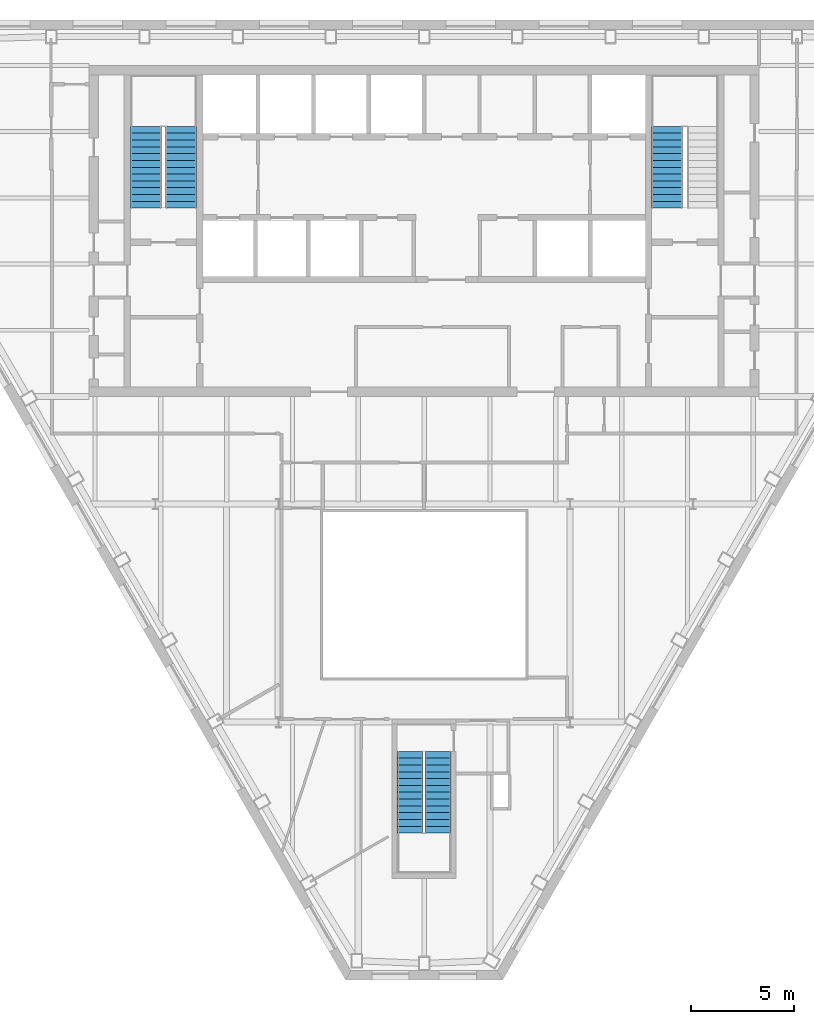
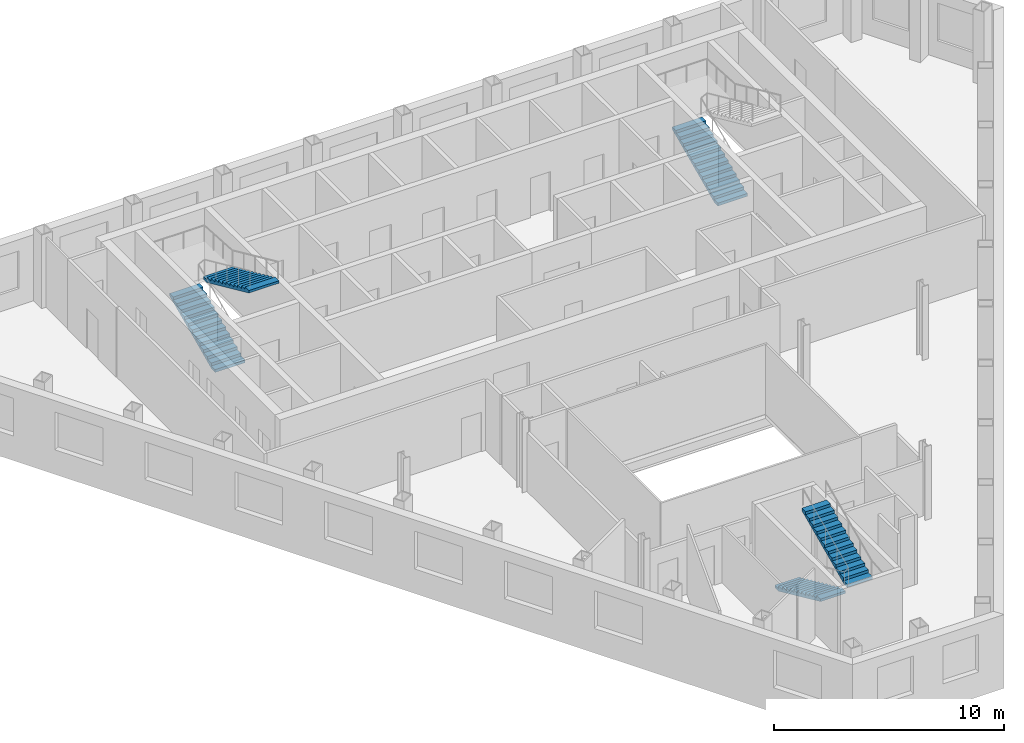
# One storey, part 8 of 10: 5 stair flights, 3 elements without a shape of their own.
"""IFC4 building model written with IfcOpenShell, lengths in metres."""

from ifc_helpers import new_model, si_unit, direction, frame, origin, place, context, subcontext, project, spatial, polygons, material, type_object, element, aggregate, save


model = new_model("IFC4")

# Units and contexts
model_context = context("Model", 3, precision=1e-05, world=origin(), true_north=direction((0.0, 1.0)))
body_context = subcontext(model_context, "Body", "Model", "MODEL_VIEW")
ifc_project = project(units=[si_unit("LENGTHUNIT", "METRE"), si_unit("AREAUNIT", "SQUARE_METRE"), si_unit("VOLUMEUNIT", "CUBIC_METRE"), si_unit("PLANEANGLEUNIT", "RADIAN"), si_unit("MASSUNIT", "GRAM", prefix="KILO")], contexts=[model_context])

# Site, building, storey
site_placement = place(None, origin())
site = spatial("IfcSite", under=ifc_project, at=site_placement, CompositionType="ELEMENT")
building_placement = place(site_placement, origin())
building = spatial("IfcBuilding", under=site, at=building_placement, Name="Njiva Tower", CompositionType="ELEMENT")
storey_placement = place(building_placement, frame((0.0, 0.0, 196.5)))
storey = spatial("IfcBuildingStorey", under=building, at=storey_placement, Name="L43", CompositionType="ELEMENT", Elevation=196.5)

# Stair, stair flights
ifc_material = material(Name="Concrete C40/50", Category="concrete")
stair_type_1 = type_object("IfcStairType", Name="ST1 Exit stair 1250", PredefinedType="HALF_TURN_STAIR", material=ifc_material)
stair_1_placement = place(storey_placement, origin())
stair_1 = element("IfcStair", 1, at=stair_1_placement, inside=storey, type_object=stair_type_1, Name="Stair C", PredefinedType="HALF_TURN_STAIR")
stair_flight_type_1 = type_object("IfcStairFlightType", Name="FL1 Stair flight 1250", PredefinedType="STRAIGHT", material=ifc_material)
stair_flight_1_placement = place(storey_placement, frame((-0.675, -15.16, 0.0), z_axis=(0.0, 0.0, 1.0), x_axis=(0.0, -1.0, 0.0)))
stair_flight_1 = element("IfcStairFlight", 2, at=stair_flight_1_placement, type_object=stair_flight_type_1, Name="ST-C flight 1", NumberOfRisers=13, NumberOfTreads=12, PredefinedType="STRAIGHT", RiserHeight=0.15, TreadLength=0.33, context=body_context, shape_type="Tessellation", body=[
    polygons([(0.0, 0.625, 0.0), (0.0, 0.3125, 0.0), (0.0, 0.0, 0.0), (0.0, -0.3125, 0.0), (0.0, -0.625, 0.0), (0.0, 0.625, 0.15), (0.0, 0.3125, 0.15), (0.0, 0.0, 0.15), (0.0, -0.3125, 0.15), (0.0, -0.625, 0.15), (0.33, 0.625, 0.15), (0.33, 0.3125, 0.15), (0.33, 0.0, 0.15), (0.33, -0.3125, 0.15), (0.33, -0.625, 0.15), (0.33, 0.625, 0.3), (0.33, 0.3125, 0.3), (0.33, 0.0, 0.3), (0.33, -0.3125, 0.3), (0.33, -0.625, 0.3), (0.66, 0.625, 0.3), (0.66, 0.3125, 0.3), (0.66, 0.0, 0.3), (0.66, -0.3125, 0.3), (0.66, -0.625, 0.3), (0.66, 0.625, 0.45), (0.66, 0.3125, 0.45), (0.66, 0.0, 0.45), (0.66, -0.3125, 0.45), (0.66, -0.625, 0.45), (0.99, 0.625, 0.45), (0.99, 0.3125, 0.45), (0.99, 0.0, 0.45), (0.99, -0.3125, 0.45), (0.99, -0.625, 0.45), (0.99, 0.625, 0.6), (0.99, 0.3125, 0.6), (0.99, 0.0, 0.6), (0.99, -0.3125, 0.6), (0.99, -0.625, 0.6), (1.32, 0.625, 0.6), (1.32, 0.3125, 0.6), (1.32, 0.0, 0.6), (1.32, -0.3125, 0.6), (1.32, -0.625, 0.6), (1.32, 0.625, 0.75), (1.32, 0.3125, 0.75), (1.32, 0.0, 0.75), (1.32, -0.3125, 0.75), (1.32, -0.625, 0.75), (1.65, 0.625, 0.75), (1.65, 0.3125, 0.75), (1.65, 0.0, 0.75), (1.65, -0.3125, 0.75), (1.65, -0.625, 0.75), (1.65, 0.625, 0.9), (1.65, 0.3125, 0.9), (1.65, 0.0, 0.9), (1.65, -0.3125, 0.9), (1.65, -0.625, 0.9), (1.98, 0.625, 0.9), (1.98, 0.3125, 0.9), (1.98, 0.0, 0.9), (1.98, -0.3125, 0.9), (1.98, -0.625, 0.9), (1.98, 0.625, 1.05), (1.98, 0.3125, 1.05), (1.98, 0.0, 1.05), (1.98, -0.3125, 1.05), (1.98, -0.625, 1.05), (2.31, 0.625, 1.05), (2.31, 0.3125, 1.05), (2.31, 0.0, 1.05), (2.31, -0.3125, 1.05), (2.31, -0.625, 1.05), (2.31, 0.625, 1.2), (2.31, 0.3125, 1.2), (2.31, 0.0, 1.2), (2.31, -0.3125, 1.2), (2.31, -0.625, 1.2), (2.64, 0.625, 1.2), (2.64, 0.3125, 1.2), (2.64, 0.0, 1.2), (2.64, -0.3125, 1.2), (2.64, -0.625, 1.2), (2.64, 0.625, 1.35), (2.64, 0.3125, 1.35), (2.64, 0.0, 1.35), (2.64, -0.3125, 1.35), (2.64, -0.625, 1.35), (2.97, 0.625, 1.35), (2.97, 0.3125, 1.35), (2.97, 0.0, 1.35), (2.97, -0.3125, 1.35), (2.97, -0.625, 1.35), (2.97, 0.625, 1.5), (2.97, 0.3125, 1.5), (2.97, 0.0, 1.5), (2.97, -0.3125, 1.5), (2.97, -0.625, 1.5), (3.3, 0.625, 1.5), (3.3, 0.3125, 1.5), (3.3, 0.0, 1.5), (3.3, -0.3125, 1.5), (3.3, -0.625, 1.5), (3.3, 0.625, 1.65), (3.3, 0.3125, 1.65), (3.3, 0.0, 1.65), (3.3, -0.3125, 1.65), (3.3, -0.625, 1.65), (3.63, 0.625, 1.65), (3.63, 0.3125, 1.65), (3.63, 0.0, 1.65), (3.63, -0.3125, 1.65), (3.63, -0.625, 1.65), (3.63, 0.625, 1.8), (3.63, 0.3125, 1.8), (3.63, 0.0, 1.8), (3.63, -0.3125, 1.8), (3.63, -0.625, 1.8), (3.96, 0.625, 1.8), (3.96, 0.3125, 1.8), (3.96, 0.0, 1.8), (3.96, -0.3125, 1.8), (3.96, -0.625, 1.8), (3.96, 0.625, 1.6682), (3.96, 0.3125, 1.6682), (3.96, 0.0, 1.6682), (3.96, -0.3125, 1.6682), (3.96, -0.625, 1.6682), (0.29, 0.625, 0.0), (0.29, 0.3125, 0.0), (0.29, 0.0, 0.0), (0.29, -0.3125, 0.0), (0.29, -0.625, 0.0)], [[[1, 6, 11, 16, 21, 26, 31, 36, 41, 46, 51, 56, 61, 66, 71, 76, 81, 86, 91, 96, 101, 106, 111, 116, 121, 126, 131]], [[135, 130, 125, 120, 115, 110, 105, 100, 95, 90, 85, 80, 75, 70, 65, 60, 55, 50, 45, 40, 35, 30, 25, 20, 15, 10, 5]], [[6, 1, 2, 7]], [[7, 2, 3, 8]], [[8, 3, 4, 9]], [[9, 4, 5, 10]], [[11, 6, 7, 12]], [[12, 7, 8, 13]], [[13, 8, 9, 14]], [[14, 9, 10, 15]], [[16, 11, 12, 17]], [[17, 12, 13, 18]], [[18, 13, 14, 19]], [[19, 14, 15, 20]], [[21, 16, 17, 22]], [[22, 17, 18, 23]], [[23, 18, 19, 24]], [[24, 19, 20, 25]], [[26, 21, 22, 27]], [[27, 22, 23, 28]], [[28, 23, 24, 29]], [[29, 24, 25, 30]], [[31, 26, 27, 32]], [[32, 27, 28, 33]], [[33, 28, 29, 34]], [[34, 29, 30, 35]], [[36, 31, 32, 37]], [[37, 32, 33, 38]], [[38, 33, 34, 39]], [[39, 34, 35, 40]], [[41, 36, 37, 42]], [[42, 37, 38, 43]], [[43, 38, 39, 44]], [[44, 39, 40, 45]], [[46, 41, 42, 47]], [[47, 42, 43, 48]], [[48, 43, 44, 49]], [[49, 44, 45, 50]], [[51, 46, 47, 52]], [[52, 47, 48, 53]], [[53, 48, 49, 54]], [[54, 49, 50, 55]], [[56, 51, 52, 57]], [[57, 52, 53, 58]], [[58, 53, 54, 59]], [[59, 54, 55, 60]], [[61, 56, 57, 62]], [[62, 57, 58, 63]], [[63, 58, 59, 64]], [[64, 59, 60, 65]], [[66, 61, 62, 67]], [[67, 62, 63, 68]], [[68, 63, 64, 69]], [[69, 64, 65, 70]], [[71, 66, 67, 72]], [[72, 67, 68, 73]], [[73, 68, 69, 74]], [[74, 69, 70, 75]], [[76, 71, 72, 77]], [[77, 72, 73, 78]], [[78, 73, 74, 79]], [[79, 74, 75, 80]], [[81, 76, 77, 82]], [[82, 77, 78, 83]], [[83, 78, 79, 84]], [[84, 79, 80, 85]], [[86, 81, 82, 87]], [[87, 82, 83, 88]], [[88, 83, 84, 89]], [[89, 84, 85, 90]], [[91, 86, 87, 92]], [[92, 87, 88, 93]], [[93, 88, 89, 94]], [[94, 89, 90, 95]], [[96, 91, 92, 97]], [[97, 92, 93, 98]], [[98, 93, 94, 99]], [[99, 94, 95, 100]], [[101, 96, 97, 102]], [[102, 97, 98, 103]], [[103, 98, 99, 104]], [[104, 99, 100, 105]], [[106, 101, 102, 107]], [[107, 102, 103, 108]], [[108, 103, 104, 109]], [[109, 104, 105, 110]], [[111, 106, 107, 112]], [[112, 107, 108, 113]], [[113, 108, 109, 114]], [[114, 109, 110, 115]], [[116, 111, 112, 117]], [[117, 112, 113, 118]], [[118, 113, 114, 119]], [[119, 114, 115, 120]], [[121, 116, 117, 122]], [[122, 117, 118, 123]], [[123, 118, 119, 124]], [[124, 119, 120, 125]], [[126, 121, 122, 127]], [[127, 122, 123, 128]], [[128, 123, 124, 129]], [[129, 124, 125, 130]], [[131, 126, 127, 132]], [[132, 127, 128, 133]], [[133, 128, 129, 134]], [[134, 129, 130, 135]], [[1, 131, 132, 2]], [[2, 132, 133, 3]], [[3, 133, 134, 4]], [[4, 134, 135, 5]]], closed=True),
])
stair_flight_2_placement = place(storey_placement, frame((0.675, -19.12, 1.95), z_axis=(0.0, 0.0, 1.0), x_axis=(0.0, 1.0, 0.0)))
stair_flight_2 = element("IfcStairFlight", 3, at=stair_flight_2_placement, type_object=stair_flight_type_1, Name="ST-C flight 2", NumberOfRisers=13, NumberOfTreads=12, PredefinedType="STRAIGHT", RiserHeight=0.15, TreadLength=0.33, context=body_context, shape_type="Tessellation", body=[
    polygons([(0.0, 0.625, 0.0), (0.0, 0.3125, 0.0), (0.0, 0.0, 0.0), (0.0, -0.3125, 0.0), (0.0, -0.625, 0.0), (0.0, 0.625, 0.15), (0.0, 0.3125, 0.15), (0.0, 0.0, 0.15), (0.0, -0.3125, 0.15), (0.0, -0.625, 0.15), (0.33, 0.625, 0.15), (0.33, 0.3125, 0.15), (0.33, 0.0, 0.15), (0.33, -0.3125, 0.15), (0.33, -0.625, 0.15), (0.33, 0.625, 0.3), (0.33, 0.3125, 0.3), (0.33, 0.0, 0.3), (0.33, -0.3125, 0.3), (0.33, -0.625, 0.3), (0.66, 0.625, 0.3), (0.66, 0.3125, 0.3), (0.66, 0.0, 0.3), (0.66, -0.3125, 0.3), (0.66, -0.625, 0.3), (0.66, 0.625, 0.45), (0.66, 0.3125, 0.45), (0.66, 0.0, 0.45), (0.66, -0.3125, 0.45), (0.66, -0.625, 0.45), (0.99, 0.625, 0.45), (0.99, 0.3125, 0.45), (0.99, 0.0, 0.45), (0.99, -0.3125, 0.45), (0.99, -0.625, 0.45), (0.99, 0.625, 0.6), (0.99, 0.3125, 0.6), (0.99, 0.0, 0.6), (0.99, -0.3125, 0.6), (0.99, -0.625, 0.6), (1.32, 0.625, 0.6), (1.32, 0.3125, 0.6), (1.32, 0.0, 0.6), (1.32, -0.3125, 0.6), (1.32, -0.625, 0.6), (1.32, 0.625, 0.75), (1.32, 0.3125, 0.75), (1.32, 0.0, 0.75), (1.32, -0.3125, 0.75), (1.32, -0.625, 0.75), (1.65, 0.625, 0.75), (1.65, 0.3125, 0.75), (1.65, 0.0, 0.75), (1.65, -0.3125, 0.75), (1.65, -0.625, 0.75), (1.65, 0.625, 0.9), (1.65, 0.3125, 0.9), (1.65, 0.0, 0.9), (1.65, -0.3125, 0.9), (1.65, -0.625, 0.9), (1.98, 0.625, 0.9), (1.98, 0.3125, 0.9), (1.98, 0.0, 0.9), (1.98, -0.3125, 0.9), (1.98, -0.625, 0.9), (1.98, 0.625, 1.05), (1.98, 0.3125, 1.05), (1.98, 0.0, 1.05), (1.98, -0.3125, 1.05), (1.98, -0.625, 1.05), (2.31, 0.625, 1.05), (2.31, 0.3125, 1.05), (2.31, 0.0, 1.05), (2.31, -0.3125, 1.05), (2.31, -0.625, 1.05), (2.31, 0.625, 1.2), (2.31, 0.3125, 1.2), (2.31, 0.0, 1.2), (2.31, -0.3125, 1.2), (2.31, -0.625, 1.2), (2.64, 0.625, 1.2), (2.64, 0.3125, 1.2), (2.64, 0.0, 1.2), (2.64, -0.3125, 1.2), (2.64, -0.625, 1.2), (2.64, 0.625, 1.35), (2.64, 0.3125, 1.35), (2.64, 0.0, 1.35), (2.64, -0.3125, 1.35), (2.64, -0.625, 1.35), (2.97, 0.625, 1.35), (2.97, 0.3125, 1.35), (2.97, 0.0, 1.35), (2.97, -0.3125, 1.35), (2.97, -0.625, 1.35), (2.97, 0.625, 1.5), (2.97, 0.3125, 1.5), (2.97, 0.0, 1.5), (2.97, -0.3125, 1.5), (2.97, -0.625, 1.5), (3.3, 0.625, 1.5), (3.3, 0.3125, 1.5), (3.3, 0.0, 1.5), (3.3, -0.3125, 1.5), (3.3, -0.625, 1.5), (3.3, 0.625, 1.65), (3.3, 0.3125, 1.65), (3.3, 0.0, 1.65), (3.3, -0.3125, 1.65), (3.3, -0.625, 1.65), (3.63, 0.625, 1.65), (3.63, 0.3125, 1.65), (3.63, 0.0, 1.65), (3.63, -0.3125, 1.65), (3.63, -0.625, 1.65), (3.63, 0.625, 1.8), (3.63, 0.3125, 1.8), (3.63, 0.0, 1.8), (3.63, -0.3125, 1.8), (3.63, -0.625, 1.8), (3.96, 0.625, 1.8), (3.96, 0.3125, 1.8), (3.96, 0.0, 1.8), (3.96, -0.3125, 1.8), (3.96, -0.625, 1.8), (3.96, 0.625, 1.6682), (3.96, 0.3125, 1.6682), (3.96, 0.0, 1.6682), (3.96, -0.3125, 1.6682), (3.96, -0.625, 1.6682), (0.29, 0.625, 0.0), (0.29, 0.3125, 0.0), (0.29, 0.0, 0.0), (0.29, -0.3125, 0.0), (0.29, -0.625, 0.0)], [[[1, 6, 11, 16, 21, 26, 31, 36, 41, 46, 51, 56, 61, 66, 71, 76, 81, 86, 91, 96, 101, 106, 111, 116, 121, 126, 131]], [[135, 130, 125, 120, 115, 110, 105, 100, 95, 90, 85, 80, 75, 70, 65, 60, 55, 50, 45, 40, 35, 30, 25, 20, 15, 10, 5]], [[6, 1, 2, 7]], [[7, 2, 3, 8]], [[8, 3, 4, 9]], [[9, 4, 5, 10]], [[11, 6, 7, 12]], [[12, 7, 8, 13]], [[13, 8, 9, 14]], [[14, 9, 10, 15]], [[16, 11, 12, 17]], [[17, 12, 13, 18]], [[18, 13, 14, 19]], [[19, 14, 15, 20]], [[21, 16, 17, 22]], [[22, 17, 18, 23]], [[23, 18, 19, 24]], [[24, 19, 20, 25]], [[26, 21, 22, 27]], [[27, 22, 23, 28]], [[28, 23, 24, 29]], [[29, 24, 25, 30]], [[31, 26, 27, 32]], [[32, 27, 28, 33]], [[33, 28, 29, 34]], [[34, 29, 30, 35]], [[36, 31, 32, 37]], [[37, 32, 33, 38]], [[38, 33, 34, 39]], [[39, 34, 35, 40]], [[41, 36, 37, 42]], [[42, 37, 38, 43]], [[43, 38, 39, 44]], [[44, 39, 40, 45]], [[46, 41, 42, 47]], [[47, 42, 43, 48]], [[48, 43, 44, 49]], [[49, 44, 45, 50]], [[51, 46, 47, 52]], [[52, 47, 48, 53]], [[53, 48, 49, 54]], [[54, 49, 50, 55]], [[56, 51, 52, 57]], [[57, 52, 53, 58]], [[58, 53, 54, 59]], [[59, 54, 55, 60]], [[61, 56, 57, 62]], [[62, 57, 58, 63]], [[63, 58, 59, 64]], [[64, 59, 60, 65]], [[66, 61, 62, 67]], [[67, 62, 63, 68]], [[68, 63, 64, 69]], [[69, 64, 65, 70]], [[71, 66, 67, 72]], [[72, 67, 68, 73]], [[73, 68, 69, 74]], [[74, 69, 70, 75]], [[76, 71, 72, 77]], [[77, 72, 73, 78]], [[78, 73, 74, 79]], [[79, 74, 75, 80]], [[81, 76, 77, 82]], [[82, 77, 78, 83]], [[83, 78, 79, 84]], [[84, 79, 80, 85]], [[86, 81, 82, 87]], [[87, 82, 83, 88]], [[88, 83, 84, 89]], [[89, 84, 85, 90]], [[91, 86, 87, 92]], [[92, 87, 88, 93]], [[93, 88, 89, 94]], [[94, 89, 90, 95]], [[96, 91, 92, 97]], [[97, 92, 93, 98]], [[98, 93, 94, 99]], [[99, 94, 95, 100]], [[101, 96, 97, 102]], [[102, 97, 98, 103]], [[103, 98, 99, 104]], [[104, 99, 100, 105]], [[106, 101, 102, 107]], [[107, 102, 103, 108]], [[108, 103, 104, 109]], [[109, 104, 105, 110]], [[111, 106, 107, 112]], [[112, 107, 108, 113]], [[113, 108, 109, 114]], [[114, 109, 110, 115]], [[116, 111, 112, 117]], [[117, 112, 113, 118]], [[118, 113, 114, 119]], [[119, 114, 115, 120]], [[121, 116, 117, 122]], [[122, 117, 118, 123]], [[123, 118, 119, 124]], [[124, 119, 120, 125]], [[126, 121, 122, 127]], [[127, 122, 123, 128]], [[128, 123, 124, 129]], [[129, 124, 125, 130]], [[131, 126, 127, 132]], [[132, 127, 128, 133]], [[133, 128, 129, 134]], [[134, 129, 130, 135]], [[1, 131, 132, 2]], [[2, 132, 133, 3]], [[3, 133, 134, 4]], [[4, 134, 135, 5]]], closed=True),
])
aggregate(stair_1, [stair_flight_1, stair_flight_2])

stair_type_2 = type_object("IfcStairType", Name="ST4 Exit stair 1500", PredefinedType="HALF_TURN_STAIR", material=ifc_material)
stair_2_placement = place(storey_placement, origin())
stair_2 = element("IfcStair", 4, at=stair_2_placement, inside=storey, type_object=stair_type_2, Name="Stair A", PredefinedType="HALF_TURN_STAIR")
stair_flight_type_2 = type_object("IfcStairFlightType", Name="FL4 Stair flight 1500", PredefinedType="STRAIGHT", material=ifc_material)
stair_flight_3_placement = place(storey_placement, frame((-13.45, 11.1, 0.0), z_axis=(0.0, 0.0, 1.0), x_axis=(0.0, 1.0, 0.0)))
stair_flight_3 = element("IfcStairFlight", 5, at=stair_flight_3_placement, type_object=stair_flight_type_2, Name="ST-A flight 1", NumberOfRisers=13, NumberOfTreads=12, PredefinedType="STRAIGHT", RiserHeight=0.15, TreadLength=0.33, context=body_context, shape_type="Tessellation", body=[
    polygons([(0.0, 0.75, 0.0), (0.0, 0.375, 0.0), (0.0, 0.0, 0.0), (0.0, -0.375, 0.0), (0.0, -0.75, 0.0), (0.0, 0.75, 0.15), (0.0, 0.375, 0.15), (0.0, 0.0, 0.15), (0.0, -0.375, 0.15), (0.0, -0.75, 0.15), (0.33, 0.75, 0.15), (0.33, 0.375, 0.15), (0.33, 0.0, 0.15), (0.33, -0.375, 0.15), (0.33, -0.75, 0.15), (0.33, 0.75, 0.3), (0.33, 0.375, 0.3), (0.33, 0.0, 0.3), (0.33, -0.375, 0.3), (0.33, -0.75, 0.3), (0.66, 0.75, 0.3), (0.66, 0.375, 0.3), (0.66, 0.0, 0.3), (0.66, -0.375, 0.3), (0.66, -0.75, 0.3), (0.66, 0.75, 0.45), (0.66, 0.375, 0.45), (0.66, 0.0, 0.45), (0.66, -0.375, 0.45), (0.66, -0.75, 0.45), (0.99, 0.75, 0.45), (0.99, 0.375, 0.45), (0.99, 0.0, 0.45), (0.99, -0.375, 0.45), (0.99, -0.75, 0.45), (0.99, 0.75, 0.6), (0.99, 0.375, 0.6), (0.99, 0.0, 0.6), (0.99, -0.375, 0.6), (0.99, -0.75, 0.6), (1.32, 0.75, 0.6), (1.32, 0.375, 0.6), (1.32, 0.0, 0.6), (1.32, -0.375, 0.6), (1.32, -0.75, 0.6), (1.32, 0.75, 0.75), (1.32, 0.375, 0.75), (1.32, 0.0, 0.75), (1.32, -0.375, 0.75), (1.32, -0.75, 0.75), (1.65, 0.75, 0.75), (1.65, 0.375, 0.75), (1.65, 0.0, 0.75), (1.65, -0.375, 0.75), (1.65, -0.75, 0.75), (1.65, 0.75, 0.9), (1.65, 0.375, 0.9), (1.65, 0.0, 0.9), (1.65, -0.375, 0.9), (1.65, -0.75, 0.9), (1.98, 0.75, 0.9), (1.98, 0.375, 0.9), (1.98, 0.0, 0.9), (1.98, -0.375, 0.9), (1.98, -0.75, 0.9), (1.98, 0.75, 1.05), (1.98, 0.375, 1.05), (1.98, 0.0, 1.05), (1.98, -0.375, 1.05), (1.98, -0.75, 1.05), (2.31, 0.75, 1.05), (2.31, 0.375, 1.05), (2.31, 0.0, 1.05), (2.31, -0.375, 1.05), (2.31, -0.75, 1.05), (2.31, 0.75, 1.2), (2.31, 0.375, 1.2), (2.31, 0.0, 1.2), (2.31, -0.375, 1.2), (2.31, -0.75, 1.2), (2.64, 0.75, 1.2), (2.64, 0.375, 1.2), (2.64, 0.0, 1.2), (2.64, -0.375, 1.2), (2.64, -0.75, 1.2), (2.64, 0.75, 1.35), (2.64, 0.375, 1.35), (2.64, 0.0, 1.35), (2.64, -0.375, 1.35), (2.64, -0.75, 1.35), (2.97, 0.75, 1.35), (2.97, 0.375, 1.35), (2.97, 0.0, 1.35), (2.97, -0.375, 1.35), (2.97, -0.75, 1.35), (2.97, 0.75, 1.5), (2.97, 0.375, 1.5), (2.97, 0.0, 1.5), (2.97, -0.375, 1.5), (2.97, -0.75, 1.5), (3.3, 0.75, 1.5), (3.3, 0.375, 1.5), (3.3, 0.0, 1.5), (3.3, -0.375, 1.5), (3.3, -0.75, 1.5), (3.3, 0.75, 1.65), (3.3, 0.375, 1.65), (3.3, 0.0, 1.65), (3.3, -0.375, 1.65), (3.3, -0.75, 1.65), (3.63, 0.75, 1.65), (3.63, 0.375, 1.65), (3.63, 0.0, 1.65), (3.63, -0.375, 1.65), (3.63, -0.75, 1.65), (3.63, 0.75, 1.8), (3.63, 0.375, 1.8), (3.63, 0.0, 1.8), (3.63, -0.375, 1.8), (3.63, -0.75, 1.8), (3.96, 0.75, 1.8), (3.96, 0.375, 1.8), (3.96, 0.0, 1.8), (3.96, -0.375, 1.8), (3.96, -0.75, 1.8), (3.96, 0.75, 1.6682), (3.96, 0.375, 1.6682), (3.96, 0.0, 1.6682), (3.96, -0.375, 1.6682), (3.96, -0.75, 1.6682), (0.29, 0.75, 0.0), (0.29, 0.375, 0.0), (0.29, 0.0, 0.0), (0.29, -0.375, 0.0), (0.29, -0.75, 0.0)], [[[1, 6, 11, 16, 21, 26, 31, 36, 41, 46, 51, 56, 61, 66, 71, 76, 81, 86, 91, 96, 101, 106, 111, 116, 121, 126, 131]], [[135, 130, 125, 120, 115, 110, 105, 100, 95, 90, 85, 80, 75, 70, 65, 60, 55, 50, 45, 40, 35, 30, 25, 20, 15, 10, 5]], [[6, 1, 2, 7]], [[7, 2, 3, 8]], [[8, 3, 4, 9]], [[9, 4, 5, 10]], [[11, 6, 7, 12]], [[12, 7, 8, 13]], [[13, 8, 9, 14]], [[14, 9, 10, 15]], [[16, 11, 12, 17]], [[17, 12, 13, 18]], [[18, 13, 14, 19]], [[19, 14, 15, 20]], [[21, 16, 17, 22]], [[22, 17, 18, 23]], [[23, 18, 19, 24]], [[24, 19, 20, 25]], [[26, 21, 22, 27]], [[27, 22, 23, 28]], [[28, 23, 24, 29]], [[29, 24, 25, 30]], [[31, 26, 27, 32]], [[32, 27, 28, 33]], [[33, 28, 29, 34]], [[34, 29, 30, 35]], [[36, 31, 32, 37]], [[37, 32, 33, 38]], [[38, 33, 34, 39]], [[39, 34, 35, 40]], [[41, 36, 37, 42]], [[42, 37, 38, 43]], [[43, 38, 39, 44]], [[44, 39, 40, 45]], [[46, 41, 42, 47]], [[47, 42, 43, 48]], [[48, 43, 44, 49]], [[49, 44, 45, 50]], [[51, 46, 47, 52]], [[52, 47, 48, 53]], [[53, 48, 49, 54]], [[54, 49, 50, 55]], [[56, 51, 52, 57]], [[57, 52, 53, 58]], [[58, 53, 54, 59]], [[59, 54, 55, 60]], [[61, 56, 57, 62]], [[62, 57, 58, 63]], [[63, 58, 59, 64]], [[64, 59, 60, 65]], [[66, 61, 62, 67]], [[67, 62, 63, 68]], [[68, 63, 64, 69]], [[69, 64, 65, 70]], [[71, 66, 67, 72]], [[72, 67, 68, 73]], [[73, 68, 69, 74]], [[74, 69, 70, 75]], [[76, 71, 72, 77]], [[77, 72, 73, 78]], [[78, 73, 74, 79]], [[79, 74, 75, 80]], [[81, 76, 77, 82]], [[82, 77, 78, 83]], [[83, 78, 79, 84]], [[84, 79, 80, 85]], [[86, 81, 82, 87]], [[87, 82, 83, 88]], [[88, 83, 84, 89]], [[89, 84, 85, 90]], [[91, 86, 87, 92]], [[92, 87, 88, 93]], [[93, 88, 89, 94]], [[94, 89, 90, 95]], [[96, 91, 92, 97]], [[97, 92, 93, 98]], [[98, 93, 94, 99]], [[99, 94, 95, 100]], [[101, 96, 97, 102]], [[102, 97, 98, 103]], [[103, 98, 99, 104]], [[104, 99, 100, 105]], [[106, 101, 102, 107]], [[107, 102, 103, 108]], [[108, 103, 104, 109]], [[109, 104, 105, 110]], [[111, 106, 107, 112]], [[112, 107, 108, 113]], [[113, 108, 109, 114]], [[114, 109, 110, 115]], [[116, 111, 112, 117]], [[117, 112, 113, 118]], [[118, 113, 114, 119]], [[119, 114, 115, 120]], [[121, 116, 117, 122]], [[122, 117, 118, 123]], [[123, 118, 119, 124]], [[124, 119, 120, 125]], [[126, 121, 122, 127]], [[127, 122, 123, 128]], [[128, 123, 124, 129]], [[129, 124, 125, 130]], [[131, 126, 127, 132]], [[132, 127, 128, 133]], [[133, 128, 129, 134]], [[134, 129, 130, 135]], [[1, 131, 132, 2]], [[2, 132, 133, 3]], [[3, 133, 134, 4]], [[4, 134, 135, 5]]], closed=True),
])
stair_flight_4_placement = place(storey_placement, frame((-11.75, 15.06, 1.95), z_axis=(0.0, 0.0, 1.0), x_axis=(0.0, -1.0, 0.0)))
stair_flight_4 = element("IfcStairFlight", 6, at=stair_flight_4_placement, type_object=stair_flight_type_2, Name="ST-A flight 2", NumberOfRisers=13, NumberOfTreads=12, PredefinedType="STRAIGHT", RiserHeight=0.15, TreadLength=0.33, context=body_context, shape_type="Tessellation", body=[
    polygons([(0.0, 0.75, 0.0), (0.0, 0.375, 0.0), (0.0, 0.0, 0.0), (0.0, -0.375, 0.0), (0.0, -0.75, 0.0), (0.0, 0.75, 0.15), (0.0, 0.375, 0.15), (0.0, 0.0, 0.15), (0.0, -0.375, 0.15), (0.0, -0.75, 0.15), (0.33, 0.75, 0.15), (0.33, 0.375, 0.15), (0.33, 0.0, 0.15), (0.33, -0.375, 0.15), (0.33, -0.75, 0.15), (0.33, 0.75, 0.3), (0.33, 0.375, 0.3), (0.33, 0.0, 0.3), (0.33, -0.375, 0.3), (0.33, -0.75, 0.3), (0.66, 0.75, 0.3), (0.66, 0.375, 0.3), (0.66, 0.0, 0.3), (0.66, -0.375, 0.3), (0.66, -0.75, 0.3), (0.66, 0.75, 0.45), (0.66, 0.375, 0.45), (0.66, 0.0, 0.45), (0.66, -0.375, 0.45), (0.66, -0.75, 0.45), (0.99, 0.75, 0.45), (0.99, 0.375, 0.45), (0.99, 0.0, 0.45), (0.99, -0.375, 0.45), (0.99, -0.75, 0.45), (0.99, 0.75, 0.6), (0.99, 0.375, 0.6), (0.99, 0.0, 0.6), (0.99, -0.375, 0.6), (0.99, -0.75, 0.6), (1.32, 0.75, 0.6), (1.32, 0.375, 0.6), (1.32, 0.0, 0.6), (1.32, -0.375, 0.6), (1.32, -0.75, 0.6), (1.32, 0.75, 0.75), (1.32, 0.375, 0.75), (1.32, 0.0, 0.75), (1.32, -0.375, 0.75), (1.32, -0.75, 0.75), (1.65, 0.75, 0.75), (1.65, 0.375, 0.75), (1.65, 0.0, 0.75), (1.65, -0.375, 0.75), (1.65, -0.75, 0.75), (1.65, 0.75, 0.9), (1.65, 0.375, 0.9), (1.65, 0.0, 0.9), (1.65, -0.375, 0.9), (1.65, -0.75, 0.9), (1.98, 0.75, 0.9), (1.98, 0.375, 0.9), (1.98, 0.0, 0.9), (1.98, -0.375, 0.9), (1.98, -0.75, 0.9), (1.98, 0.75, 1.05), (1.98, 0.375, 1.05), (1.98, 0.0, 1.05), (1.98, -0.375, 1.05), (1.98, -0.75, 1.05), (2.31, 0.75, 1.05), (2.31, 0.375, 1.05), (2.31, 0.0, 1.05), (2.31, -0.375, 1.05), (2.31, -0.75, 1.05), (2.31, 0.75, 1.2), (2.31, 0.375, 1.2), (2.31, 0.0, 1.2), (2.31, -0.375, 1.2), (2.31, -0.75, 1.2), (2.64, 0.75, 1.2), (2.64, 0.375, 1.2), (2.64, 0.0, 1.2), (2.64, -0.375, 1.2), (2.64, -0.75, 1.2), (2.64, 0.75, 1.35), (2.64, 0.375, 1.35), (2.64, 0.0, 1.35), (2.64, -0.375, 1.35), (2.64, -0.75, 1.35), (2.97, 0.75, 1.35), (2.97, 0.375, 1.35), (2.97, 0.0, 1.35), (2.97, -0.375, 1.35), (2.97, -0.75, 1.35), (2.97, 0.75, 1.5), (2.97, 0.375, 1.5), (2.97, 0.0, 1.5), (2.97, -0.375, 1.5), (2.97, -0.75, 1.5), (3.3, 0.75, 1.5), (3.3, 0.375, 1.5), (3.3, 0.0, 1.5), (3.3, -0.375, 1.5), (3.3, -0.75, 1.5), (3.3, 0.75, 1.65), (3.3, 0.375, 1.65), (3.3, 0.0, 1.65), (3.3, -0.375, 1.65), (3.3, -0.75, 1.65), (3.63, 0.75, 1.65), (3.63, 0.375, 1.65), (3.63, 0.0, 1.65), (3.63, -0.375, 1.65), (3.63, -0.75, 1.65), (3.63, 0.75, 1.8), (3.63, 0.375, 1.8), (3.63, 0.0, 1.8), (3.63, -0.375, 1.8), (3.63, -0.75, 1.8), (3.96, 0.75, 1.8), (3.96, 0.375, 1.8), (3.96, 0.0, 1.8), (3.96, -0.375, 1.8), (3.96, -0.75, 1.8), (3.96, 0.75, 1.6682), (3.96, 0.375, 1.6682), (3.96, 0.0, 1.6682), (3.96, -0.375, 1.6682), (3.96, -0.75, 1.6682), (0.29, 0.75, 0.0), (0.29, 0.375, 0.0), (0.29, 0.0, 0.0), (0.29, -0.375, 0.0), (0.29, -0.75, 0.0)], [[[1, 6, 11, 16, 21, 26, 31, 36, 41, 46, 51, 56, 61, 66, 71, 76, 81, 86, 91, 96, 101, 106, 111, 116, 121, 126, 131]], [[135, 130, 125, 120, 115, 110, 105, 100, 95, 90, 85, 80, 75, 70, 65, 60, 55, 50, 45, 40, 35, 30, 25, 20, 15, 10, 5]], [[6, 1, 2, 7]], [[7, 2, 3, 8]], [[8, 3, 4, 9]], [[9, 4, 5, 10]], [[11, 6, 7, 12]], [[12, 7, 8, 13]], [[13, 8, 9, 14]], [[14, 9, 10, 15]], [[16, 11, 12, 17]], [[17, 12, 13, 18]], [[18, 13, 14, 19]], [[19, 14, 15, 20]], [[21, 16, 17, 22]], [[22, 17, 18, 23]], [[23, 18, 19, 24]], [[24, 19, 20, 25]], [[26, 21, 22, 27]], [[27, 22, 23, 28]], [[28, 23, 24, 29]], [[29, 24, 25, 30]], [[31, 26, 27, 32]], [[32, 27, 28, 33]], [[33, 28, 29, 34]], [[34, 29, 30, 35]], [[36, 31, 32, 37]], [[37, 32, 33, 38]], [[38, 33, 34, 39]], [[39, 34, 35, 40]], [[41, 36, 37, 42]], [[42, 37, 38, 43]], [[43, 38, 39, 44]], [[44, 39, 40, 45]], [[46, 41, 42, 47]], [[47, 42, 43, 48]], [[48, 43, 44, 49]], [[49, 44, 45, 50]], [[51, 46, 47, 52]], [[52, 47, 48, 53]], [[53, 48, 49, 54]], [[54, 49, 50, 55]], [[56, 51, 52, 57]], [[57, 52, 53, 58]], [[58, 53, 54, 59]], [[59, 54, 55, 60]], [[61, 56, 57, 62]], [[62, 57, 58, 63]], [[63, 58, 59, 64]], [[64, 59, 60, 65]], [[66, 61, 62, 67]], [[67, 62, 63, 68]], [[68, 63, 64, 69]], [[69, 64, 65, 70]], [[71, 66, 67, 72]], [[72, 67, 68, 73]], [[73, 68, 69, 74]], [[74, 69, 70, 75]], [[76, 71, 72, 77]], [[77, 72, 73, 78]], [[78, 73, 74, 79]], [[79, 74, 75, 80]], [[81, 76, 77, 82]], [[82, 77, 78, 83]], [[83, 78, 79, 84]], [[84, 79, 80, 85]], [[86, 81, 82, 87]], [[87, 82, 83, 88]], [[88, 83, 84, 89]], [[89, 84, 85, 90]], [[91, 86, 87, 92]], [[92, 87, 88, 93]], [[93, 88, 89, 94]], [[94, 89, 90, 95]], [[96, 91, 92, 97]], [[97, 92, 93, 98]], [[98, 93, 94, 99]], [[99, 94, 95, 100]], [[101, 96, 97, 102]], [[102, 97, 98, 103]], [[103, 98, 99, 104]], [[104, 99, 100, 105]], [[106, 101, 102, 107]], [[107, 102, 103, 108]], [[108, 103, 104, 109]], [[109, 104, 105, 110]], [[111, 106, 107, 112]], [[112, 107, 108, 113]], [[113, 108, 109, 114]], [[114, 109, 110, 115]], [[116, 111, 112, 117]], [[117, 112, 113, 118]], [[118, 113, 114, 119]], [[119, 114, 115, 120]], [[121, 116, 117, 122]], [[122, 117, 118, 123]], [[123, 118, 119, 124]], [[124, 119, 120, 125]], [[126, 121, 122, 127]], [[127, 122, 123, 128]], [[128, 123, 124, 129]], [[129, 124, 125, 130]], [[131, 126, 127, 132]], [[132, 127, 128, 133]], [[133, 128, 129, 134]], [[134, 129, 130, 135]], [[1, 131, 132, 2]], [[2, 132, 133, 3]], [[3, 133, 134, 4]], [[4, 134, 135, 5]]], closed=True),
])
aggregate(stair_2, [stair_flight_3, stair_flight_4])

# Stair, stair flight
stair_3_placement = place(storey_placement, origin())
stair_3 = element("IfcStair", 7, at=stair_3_placement, inside=storey, type_object=stair_type_2, Name="Stair B", PredefinedType="HALF_TURN_STAIR")
stair_flight_5_placement = place(storey_placement, frame((11.75, 11.1, 0.0), z_axis=(0.0, 0.0, 1.0), x_axis=(0.0, 1.0, 0.0)))
stair_flight_5 = element("IfcStairFlight", 8, at=stair_flight_5_placement, type_object=stair_flight_type_2, Name="ST-B flight 1", NumberOfRisers=13, NumberOfTreads=12, PredefinedType="STRAIGHT", RiserHeight=0.15, TreadLength=0.33, context=body_context, shape_type="Tessellation", body=[
    polygons([(0.0, 0.75, 0.0), (0.0, 0.375, 0.0), (0.0, 0.0, 0.0), (0.0, -0.375, 0.0), (0.0, -0.75, 0.0), (0.0, 0.75, 0.15), (0.0, 0.375, 0.15), (0.0, 0.0, 0.15), (0.0, -0.375, 0.15), (0.0, -0.75, 0.15), (0.33, 0.75, 0.15), (0.33, 0.375, 0.15), (0.33, 0.0, 0.15), (0.33, -0.375, 0.15), (0.33, -0.75, 0.15), (0.33, 0.75, 0.3), (0.33, 0.375, 0.3), (0.33, 0.0, 0.3), (0.33, -0.375, 0.3), (0.33, -0.75, 0.3), (0.66, 0.75, 0.3), (0.66, 0.375, 0.3), (0.66, 0.0, 0.3), (0.66, -0.375, 0.3), (0.66, -0.75, 0.3), (0.66, 0.75, 0.45), (0.66, 0.375, 0.45), (0.66, 0.0, 0.45), (0.66, -0.375, 0.45), (0.66, -0.75, 0.45), (0.99, 0.75, 0.45), (0.99, 0.375, 0.45), (0.99, 0.0, 0.45), (0.99, -0.375, 0.45), (0.99, -0.75, 0.45), (0.99, 0.75, 0.6), (0.99, 0.375, 0.6), (0.99, 0.0, 0.6), (0.99, -0.375, 0.6), (0.99, -0.75, 0.6), (1.32, 0.75, 0.6), (1.32, 0.375, 0.6), (1.32, 0.0, 0.6), (1.32, -0.375, 0.6), (1.32, -0.75, 0.6), (1.32, 0.75, 0.75), (1.32, 0.375, 0.75), (1.32, 0.0, 0.75), (1.32, -0.375, 0.75), (1.32, -0.75, 0.75), (1.65, 0.75, 0.75), (1.65, 0.375, 0.75), (1.65, 0.0, 0.75), (1.65, -0.375, 0.75), (1.65, -0.75, 0.75), (1.65, 0.75, 0.9), (1.65, 0.375, 0.9), (1.65, 0.0, 0.9), (1.65, -0.375, 0.9), (1.65, -0.75, 0.9), (1.98, 0.75, 0.9), (1.98, 0.375, 0.9), (1.98, 0.0, 0.9), (1.98, -0.375, 0.9), (1.98, -0.75, 0.9), (1.98, 0.75, 1.05), (1.98, 0.375, 1.05), (1.98, 0.0, 1.05), (1.98, -0.375, 1.05), (1.98, -0.75, 1.05), (2.31, 0.75, 1.05), (2.31, 0.375, 1.05), (2.31, 0.0, 1.05), (2.31, -0.375, 1.05), (2.31, -0.75, 1.05), (2.31, 0.75, 1.2), (2.31, 0.375, 1.2), (2.31, 0.0, 1.2), (2.31, -0.375, 1.2), (2.31, -0.75, 1.2), (2.64, 0.75, 1.2), (2.64, 0.375, 1.2), (2.64, 0.0, 1.2), (2.64, -0.375, 1.2), (2.64, -0.75, 1.2), (2.64, 0.75, 1.35), (2.64, 0.375, 1.35), (2.64, 0.0, 1.35), (2.64, -0.375, 1.35), (2.64, -0.75, 1.35), (2.97, 0.75, 1.35), (2.97, 0.375, 1.35), (2.97, 0.0, 1.35), (2.97, -0.375, 1.35), (2.97, -0.75, 1.35), (2.97, 0.75, 1.5), (2.97, 0.375, 1.5), (2.97, 0.0, 1.5), (2.97, -0.375, 1.5), (2.97, -0.75, 1.5), (3.3, 0.75, 1.5), (3.3, 0.375, 1.5), (3.3, 0.0, 1.5), (3.3, -0.375, 1.5), (3.3, -0.75, 1.5), (3.3, 0.75, 1.65), (3.3, 0.375, 1.65), (3.3, 0.0, 1.65), (3.3, -0.375, 1.65), (3.3, -0.75, 1.65), (3.63, 0.75, 1.65), (3.63, 0.375, 1.65), (3.63, 0.0, 1.65), (3.63, -0.375, 1.65), (3.63, -0.75, 1.65), (3.63, 0.75, 1.8), (3.63, 0.375, 1.8), (3.63, 0.0, 1.8), (3.63, -0.375, 1.8), (3.63, -0.75, 1.8), (3.96, 0.75, 1.8), (3.96, 0.375, 1.8), (3.96, 0.0, 1.8), (3.96, -0.375, 1.8), (3.96, -0.75, 1.8), (3.96, 0.75, 1.6682), (3.96, 0.375, 1.6682), (3.96, 0.0, 1.6682), (3.96, -0.375, 1.6682), (3.96, -0.75, 1.6682), (0.29, 0.75, 0.0), (0.29, 0.375, 0.0), (0.29, 0.0, 0.0), (0.29, -0.375, 0.0), (0.29, -0.75, 0.0)], [[[1, 6, 11, 16, 21, 26, 31, 36, 41, 46, 51, 56, 61, 66, 71, 76, 81, 86, 91, 96, 101, 106, 111, 116, 121, 126, 131]], [[135, 130, 125, 120, 115, 110, 105, 100, 95, 90, 85, 80, 75, 70, 65, 60, 55, 50, 45, 40, 35, 30, 25, 20, 15, 10, 5]], [[6, 1, 2, 7]], [[7, 2, 3, 8]], [[8, 3, 4, 9]], [[9, 4, 5, 10]], [[11, 6, 7, 12]], [[12, 7, 8, 13]], [[13, 8, 9, 14]], [[14, 9, 10, 15]], [[16, 11, 12, 17]], [[17, 12, 13, 18]], [[18, 13, 14, 19]], [[19, 14, 15, 20]], [[21, 16, 17, 22]], [[22, 17, 18, 23]], [[23, 18, 19, 24]], [[24, 19, 20, 25]], [[26, 21, 22, 27]], [[27, 22, 23, 28]], [[28, 23, 24, 29]], [[29, 24, 25, 30]], [[31, 26, 27, 32]], [[32, 27, 28, 33]], [[33, 28, 29, 34]], [[34, 29, 30, 35]], [[36, 31, 32, 37]], [[37, 32, 33, 38]], [[38, 33, 34, 39]], [[39, 34, 35, 40]], [[41, 36, 37, 42]], [[42, 37, 38, 43]], [[43, 38, 39, 44]], [[44, 39, 40, 45]], [[46, 41, 42, 47]], [[47, 42, 43, 48]], [[48, 43, 44, 49]], [[49, 44, 45, 50]], [[51, 46, 47, 52]], [[52, 47, 48, 53]], [[53, 48, 49, 54]], [[54, 49, 50, 55]], [[56, 51, 52, 57]], [[57, 52, 53, 58]], [[58, 53, 54, 59]], [[59, 54, 55, 60]], [[61, 56, 57, 62]], [[62, 57, 58, 63]], [[63, 58, 59, 64]], [[64, 59, 60, 65]], [[66, 61, 62, 67]], [[67, 62, 63, 68]], [[68, 63, 64, 69]], [[69, 64, 65, 70]], [[71, 66, 67, 72]], [[72, 67, 68, 73]], [[73, 68, 69, 74]], [[74, 69, 70, 75]], [[76, 71, 72, 77]], [[77, 72, 73, 78]], [[78, 73, 74, 79]], [[79, 74, 75, 80]], [[81, 76, 77, 82]], [[82, 77, 78, 83]], [[83, 78, 79, 84]], [[84, 79, 80, 85]], [[86, 81, 82, 87]], [[87, 82, 83, 88]], [[88, 83, 84, 89]], [[89, 84, 85, 90]], [[91, 86, 87, 92]], [[92, 87, 88, 93]], [[93, 88, 89, 94]], [[94, 89, 90, 95]], [[96, 91, 92, 97]], [[97, 92, 93, 98]], [[98, 93, 94, 99]], [[99, 94, 95, 100]], [[101, 96, 97, 102]], [[102, 97, 98, 103]], [[103, 98, 99, 104]], [[104, 99, 100, 105]], [[106, 101, 102, 107]], [[107, 102, 103, 108]], [[108, 103, 104, 109]], [[109, 104, 105, 110]], [[111, 106, 107, 112]], [[112, 107, 108, 113]], [[113, 108, 109, 114]], [[114, 109, 110, 115]], [[116, 111, 112, 117]], [[117, 112, 113, 118]], [[118, 113, 114, 119]], [[119, 114, 115, 120]], [[121, 116, 117, 122]], [[122, 117, 118, 123]], [[123, 118, 119, 124]], [[124, 119, 120, 125]], [[126, 121, 122, 127]], [[127, 122, 123, 128]], [[128, 123, 124, 129]], [[129, 124, 125, 130]], [[131, 126, 127, 132]], [[132, 127, 128, 133]], [[133, 128, 129, 134]], [[134, 129, 130, 135]], [[1, 131, 132, 2]], [[2, 132, 133, 3]], [[3, 133, 134, 4]], [[4, 134, 135, 5]]], closed=True),
])
aggregate(stair_3, [stair_flight_5])

save(model, "model.ifc")
